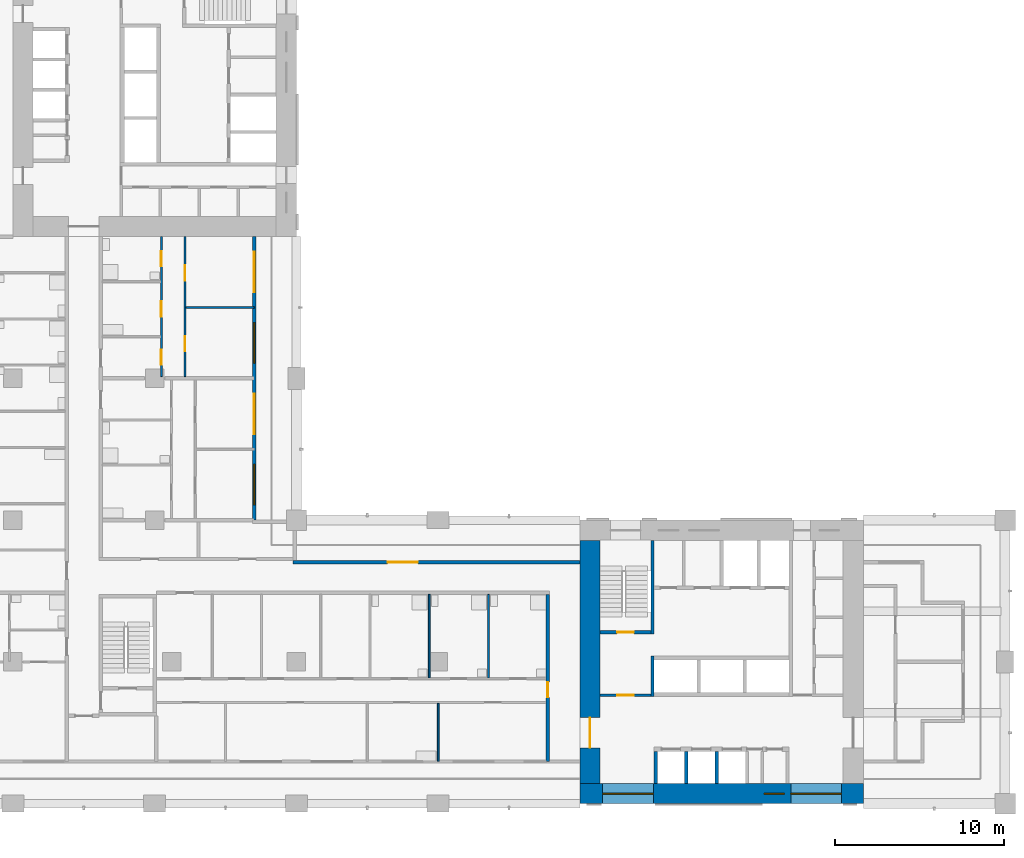
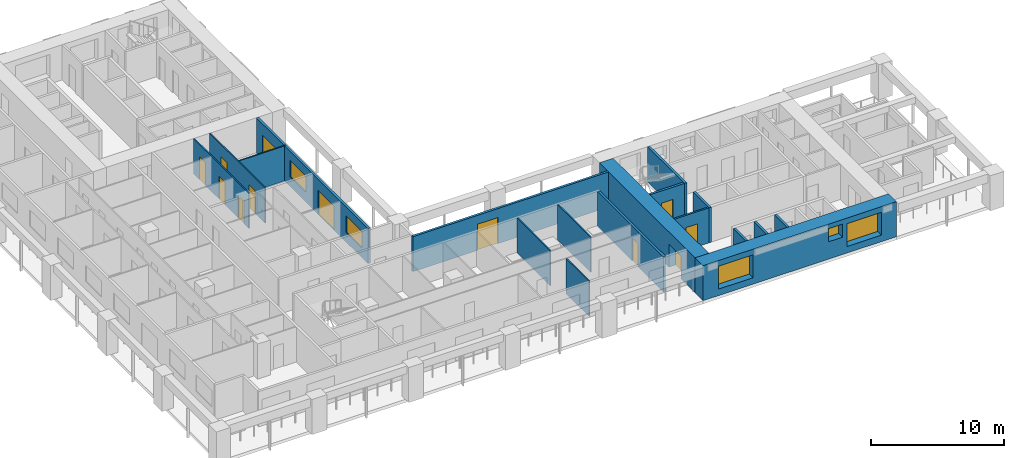
# One storey, part 5 of 17: 18 walls, 12 doors, 5 windows, 17 openings.
"""IFC4 building model written with IfcOpenShell, lengths in metres."""

import ifcopenshell
import ifcopenshell.guid

model = None  # the IFC model being written
_history = None  # IfcOwnerHistory: only IFC2X3 demands one
_inside = {}  # id of a spatial element -> (the spatial element, [elements in it])
_under = {}  # id of a project, library or spatial element -> (it, [spatial elements below it])
_declared = {}  # id of a project -> (the project, [libraries it declares])
_typed = {}  # id of a type object -> (the type object, [elements of that type])
_made_of = {}  # id of a material, layer set ... -> (it, [elements and type objects made of it])


def new_model(schema):
    """Start an empty IFC model of exactly this schema.

    Asked for "IFC4X3", IfcOpenShell would pick the latest addendum, in which some entities
    have other attributes; the version numbers below select the first issue.
    IFC2X3 requires an IfcOwnerHistory on every rooted entity: one is made here for all.
    """
    global model, _history
    if schema == "IFC4X3":
        model = ifcopenshell.file(schema_version=(4, 3, 0, 0))
    else:
        model = ifcopenshell.file(schema=schema)
    _inside.clear()
    _under.clear()
    _declared.clear()
    _typed.clear()
    _made_of.clear()
    _history = None
    if model.schema == "IFC2X3":
        org = make("IfcOrganization", Name="unknown")
        user = make(
            "IfcPersonAndOrganization",
            ThePerson=make("IfcPerson", FamilyName="unknown"),
            TheOrganization=org,
        )
        app = make(
            "IfcApplication",
            ApplicationDeveloper=org,
            Version="unknown",
            ApplicationFullName="unknown",
            ApplicationIdentifier="unknown",
        )
        _history = make(
            "IfcOwnerHistory",
            OwningUser=user,
            OwningApplication=app,
            ChangeAction="ADDED",
            CreationDate=0,
        )
    return model


def make(cls, **values):
    """One entity of the class cls with the attributes given. An attribute that is None is left unset."""
    return model.create_entity(
        cls, **{name: value for name, value in values.items() if value is not None}
    )


def rooted(cls, **values):
    """An entity with a GlobalId (a new one), such as an element, a storey or a relation."""
    return make(cls, GlobalId=ifcopenshell.guid.new(), OwnerHistory=_history, **values)


def si_unit(unit_type, name, prefix=None):
    """IfcSIUnit, for example si_unit("LENGTHUNIT", "METRE", prefix="MILLI")."""
    return make("IfcSIUnit", UnitType=unit_type, Prefix=prefix, Name=name)


def assignment(units):
    """IfcUnitAssignment: the units of a project."""
    return None if units is None else make("IfcUnitAssignment", Units=units)


def point(xyz):
    """IfcCartesianPoint."""
    return None if xyz is None else make("IfcCartesianPoint", Coordinates=xyz)


def direction(xyz):
    """IfcDirection."""
    return None if xyz is None else make("IfcDirection", DirectionRatios=xyz)


def frame(location, z_axis=None, x_axis=None):
    """IfcAxis2Placement3D, a coordinate frame: its origin and axes. An axis left out is left unset."""
    return make(
        "IfcAxis2Placement3D",
        Location=point(location),
        Axis=direction(z_axis),
        RefDirection=direction(x_axis),
    )


def frame_2d(location, x_axis=None):
    """IfcAxis2Placement2D, a coordinate frame in the plane: its origin and x axis."""
    return make(
        "IfcAxis2Placement2D", Location=point(location), RefDirection=direction(x_axis)
    )


def origin():
    """The frame at (0, 0, 0) with its axes left unset."""
    return frame((0.0, 0.0, 0.0))


def place(relative_to, where):
    """IfcLocalPlacement: puts the frame where relative to a parent placement (None: the world)."""
    return make(
        "IfcLocalPlacement", PlacementRelTo=relative_to, RelativePlacement=where
    )


def context(
    kind, dimensions, precision=None, world=None, true_north=None, identifier=None
):
    """IfcGeometricRepresentationContext, for example the 3D "Model" context."""
    return make(
        "IfcGeometricRepresentationContext",
        ContextIdentifier=identifier,
        ContextType=kind,
        CoordinateSpaceDimension=dimensions,
        Precision=precision,
        WorldCoordinateSystem=world,
        TrueNorth=true_north,
    )


def subcontext(parent, identifier, kind, view, scale=None):
    """IfcGeometricRepresentationSubContext, for example "Body" below "Model"."""
    return make(
        "IfcGeometricRepresentationSubContext",
        ContextIdentifier=identifier,
        ContextType=kind,
        ParentContext=parent,
        TargetScale=scale,
        TargetView=view,
    )


def project(units=None, contexts=None):
    """IfcProject with its units and contexts."""
    return rooted(
        "IfcProject",
        Name="project",
        RepresentationContexts=contexts,
        UnitsInContext=assignment(units),
    )


def spatial(cls, under=None, at=None, **own):
    """A site, building, storey or space (cls), placed at a placement, below another one or the project."""
    s = rooted(cls, ObjectPlacement=at, **own)
    if under is not None:
        _under.setdefault(under.id(), (under, []))[1].append(s)
    return s


def profile(cls, at=None, kind="AREA", **sizes):
    """A parametric profile (cls). Its sizes go by their IFC names, for example OverallWidth=200.0."""
    return make(cls, ProfileType=kind, Position=at, **sizes)


def rectangle(**sizes):
    """IfcRectangleProfileDef."""
    return profile("IfcRectangleProfileDef", **sizes)


def extrude(swept, where, along, depth):
    """IfcExtrudedAreaSolid: the profile swept, set in the frame where, extruded along a direction by depth."""
    return make(
        "IfcExtrudedAreaSolid",
        SweptArea=swept,
        Position=where,
        ExtrudedDirection=direction(along),
        Depth=depth,
    )


def shape(context_of_items, identifier, shape_type, items):
    """IfcShapeRepresentation: the items that make up one representation, for example the "Body"."""
    return make(
        "IfcShapeRepresentation",
        ContextOfItems=context_of_items,
        RepresentationIdentifier=identifier,
        RepresentationType=shape_type,
        Items=items,
    )


def material(Name=None, Category=None):
    """IfcMaterial."""
    return make("IfcMaterial", Name=Name, Category=Category)


def layer(
    of_material, thickness, ventilated=None, Name=None, Category=None, Priority=None
):
    """IfcMaterialLayer: one layer of a wall or slab, of a material (None: an air gap)."""
    return make(
        "IfcMaterialLayer",
        Material=of_material,
        LayerThickness=thickness,
        IsVentilated=ventilated,
        Name=Name,
        Category=Category,
        Priority=Priority,
    )


def layer_set(layers, Name=None):
    """IfcMaterialLayerSet."""
    return make("IfcMaterialLayerSet", MaterialLayers=layers, LayerSetName=Name)


def made_of(thing, what):
    """Note that an element or type object is made of a material, layer set ...; save() writes the relation."""
    if what is not None:
        _made_of.setdefault(what.id(), (what, []))[1].append(thing)
    return thing


def type_object(cls, material=None, **own):
    """A type object (cls), such as IfcWallType, which elements share."""
    return made_of(rooted(cls, **own), material)


def element(
    cls,
    number,
    at=None,
    inside=None,
    cuts=None,
    type_object=None,
    material=None,
    context=None,
    identifier="Body",
    shape_type=None,
    held_by="IfcProductDefinitionShape",
    body=None,
    shapes=None,
    **own,
):
    """One element of the class cls, such as IfcWall. Its Tag is "e" and its number.

    at: its placement. inside: the storey or other place that contains it. cuts: it is an
    opening in that element (IfcRelVoidsElement). A single representation is given by context,
    identifier, shape_type and body (its items); several are given by shapes. held_by: the class
    of the entity that holds the representations. save() writes the other relations.
    """
    e = rooted(cls, Tag="e%d" % number, ObjectPlacement=at, **own)
    if body is not None:
        shapes = [shape(context, identifier, shape_type, body)]
    if shapes is not None:
        e.Representation = make(held_by, Representations=shapes)
    if inside is not None:
        _inside.setdefault(inside.id(), (inside, []))[1].append(e)
    if cuts is not None:
        rooted(
            "IfcRelVoidsElement", RelatingBuildingElement=cuts, RelatedOpeningElement=e
        )
    if type_object is not None:
        _typed.setdefault(type_object.id(), (type_object, []))[1].append(e)
    return made_of(e, material)


def fill(opening, filler):
    """IfcRelFillsElement: the door or window that sits in an opening."""
    return rooted(
        "IfcRelFillsElement",
        RelatingOpeningElement=opening,
        RelatedBuildingElement=filler,
    )


def aggregate(whole, parts):
    """IfcRelAggregates: a whole, such as a stair, and the parts it consists of."""
    return rooted("IfcRelAggregates", RelatingObject=whole, RelatedObjects=parts)


def save(model, path):
    """Write the relations noted so far, then the file.

    IfcRelAggregates (storeys below a building ...), IfcRelContainedInSpatialStructure (elements
    in a storey), IfcRelDefinesByType, IfcRelAssociatesMaterial and IfcRelDeclares: one each for
    every whole, place, type object, material and project.
    """
    for whole, parts in _under.values():
        aggregate(whole, parts)
    for where, things in _inside.values():
        rooted(
            "IfcRelContainedInSpatialStructure",
            RelatedElements=things,
            RelatingStructure=where,
        )
    for kind, things in _typed.values():
        rooted("IfcRelDefinesByType", RelatedObjects=things, RelatingType=kind)
    for what, things in _made_of.values():
        rooted("IfcRelAssociatesMaterial", RelatedObjects=things, RelatingMaterial=what)
    for by, libraries in _declared.values():
        rooted("IfcRelDeclares", RelatingContext=by, RelatedDefinitions=libraries)
    model.write(path)


model = new_model("IFC4")

# Units and contexts
model_context = context("Model", 3, precision=1e-05, world=origin(), true_north=direction((0.0, 1.0)))
body_context = subcontext(model_context, "Body", "Model", "MODEL_VIEW")
ifc_project = project(units=[si_unit("LENGTHUNIT", "METRE"), si_unit("AREAUNIT", "SQUARE_METRE"), si_unit("VOLUMEUNIT", "CUBIC_METRE"), si_unit("PLANEANGLEUNIT", "RADIAN"), si_unit("MASSUNIT", "GRAM", prefix="KILO")], contexts=[model_context])

# Site, building, storey
site_placement = place(None, origin())
site = spatial("IfcSite", under=ifc_project, at=site_placement, CompositionType="ELEMENT")
building_placement = place(site_placement, origin())
building = spatial("IfcBuilding", under=site, at=building_placement, Name="Vermilion Gate Residences", CompositionType="ELEMENT")
storey_placement = place(building_placement, frame((0.0, 0.0, 95.199951171875)))
storey = spatial("IfcBuildingStorey", under=building, at=storey_placement, Name="L23", CompositionType="ELEMENT", Elevation=95.199951171875)

# Wall, opening, door
ifc_material_1 = material(Name="Masonry blockwork", Category="masonry")
ifc_layer_1 = layer(ifc_material_1, 0.14990234375)
ifc_layer_set_1 = layer_set([ifc_layer_1], Name="BLOCKWORK PARTITION 150 EI 120")
wall_type_1 = type_object("IfcWallType", Name="BLOCKWORK PARTITION 150 EI 120", PredefinedType="PARTITIONING", material=ifc_layer_set_1)
wall_1_placement = place(storey_placement, frame((43.199951171875, 14.824951171875, 0.0), z_axis=(0.0, 0.0, 1.0), x_axis=(1.0, 0.0, 0.0)))
wall_1 = element("IfcWall", 1, at=wall_1_placement, inside=storey, type_object=wall_type_1, Name="Core room partition A23-VW-S", PredefinedType="PARTITIONING", context=body_context, shape_type="SweptSolid", body=[
    extrude(rectangle(XDim=3.0, YDim=0.14990234375, at=frame_2d((1.5, 0.0))), origin(), (0.0, 0.0, 1.0), 3.219970703125),
])
opening_1_placement = place(wall_1_placement, frame((1.0, 0.0, 0.0)))
opening_1 = element("IfcOpeningElement", 2, at=opening_1_placement, cuts=wall_1, Name="Opening DK23012", PredefinedType="OPENING", context=body_context, shape_type="SweptSolid", body=[
    extrude(rectangle(XDim=1.0, YDim=2.10009765625, at=frame_2d((0.5, 1.050048828125))), frame((0.0, 0.0849609375, 0.0), z_axis=(0.0, -1.0, 0.0), x_axis=(1.0, 0.0, 0.0)), (0.0, 0.0, 1.0), 0.169921875),
])
ifc_material_2 = material(Name="Steel", Category="steel")
door_type_1 = type_object("IfcDoorType", Name="FIRE DOOR FD60 1000 X 2100", OperationType="SINGLE_SWING_LEFT", PredefinedType="DOOR", material=ifc_material_2)
door_1_placement = place(opening_1_placement, frame((1.0, 0.0, 0.0), z_axis=(0.0, 0.0, 1.0), x_axis=(-1.0, 0.0, 0.0)))
door_1 = element("IfcDoor", 3, at=door_1_placement, inside=storey, type_object=door_type_1, Name="Stair vestibule door A23", OperationType="SINGLE_SWING_RIGHT", OverallHeight=2.10009765625, OverallWidth=1.0, PredefinedType="DOOR", context=body_context, shape_type="SweptSolid", body=[
    extrude(rectangle(XDim=1.0, YDim=2.10009765625, at=frame_2d((0.5, 1.050048828125))), frame((0.0, 0.02490234375, 0.0), z_axis=(0.0, -1.0, 0.0), x_axis=(1.0, 0.0, 0.0)), (0.0, 0.0, 1.0), 0.050048828125),
])
fill(opening_1, door_1)

ifc_material_3 = material(Name="Insulated steel stud wall with terracotta rainscreen", Category="masonry")
ifc_layer_2 = layer(ifc_material_3, 0.199951171875)
ifc_layer_set_2 = layer_set([ifc_layer_2], Name="EXTERNAL WALL 200 TERRACOTTA RAINSCREEN")
wall_type_2 = type_object("IfcWallType", Name="EXTERNAL WALL 200 TERRACOTTA RAINSCREEN", PredefinedType="SOLIDWALL", material=ifc_layer_set_2)
wall_2_placement = place(storey_placement, frame((42.0, 22.699951171875, 0.0), z_axis=(0.0, 0.0, 1.0), x_axis=(-1.0, 0.0, 0.0)))
wall_2 = element("IfcWall", 4, at=wall_2_placement, inside=storey, type_object=wall_type_2, Name="External wall", PredefinedType="SOLIDWALL", context=body_context, shape_type="SweptSolid", body=[
    extrude(rectangle(XDim=17.0, YDim=0.199951171875, at=frame_2d((8.5, 0.0))), origin(), (0.0, 0.0, 1.0), 3.219970703125),
])
opening_2_placement = place(wall_2_placement, frame((9.60009765625, 0.0, 0.0)))
opening_2 = element("IfcOpeningElement", 5, at=opening_2_placement, cuts=wall_2, Name="Opening DE23029", PredefinedType="OPENING", context=body_context, shape_type="SweptSolid", body=[
    extrude(rectangle(XDim=1.800048828125, YDim=2.39990234375, at=frame_2d((0.89990234375, 1.199951171875))), frame((0.0, 0.10986328125, 0.0), z_axis=(0.0, -1.0, 0.0), x_axis=(1.0, 0.0, 0.0)), (0.0, 0.0, 1.0), 0.219970703125),
])
ifc_material_4 = material(Name="Aluminium and clear glass", Category="aluminium")
door_type_2 = type_object("IfcDoorType", Name="GLAZED EXTERNAL DOOR 1800 X 2400", OperationType="DOUBLE_DOOR_SINGLE_SWING", PredefinedType="DOOR", material=ifc_material_4)
door_2_placement = place(opening_2_placement, frame((1.800048828125, 0.0, 0.0), z_axis=(0.0, 0.0, 1.0), x_axis=(-1.0, 0.0, 0.0)))
door_2 = element("IfcDoor", 6, at=door_2_placement, inside=storey, type_object=door_type_2, Name="Gallery door", OperationType="DOUBLE_DOOR_SINGLE_SWING", OverallHeight=2.39990234375, OverallWidth=1.800048828125, PredefinedType="DOOR", context=body_context, shape_type="SweptSolid", body=[
    extrude(rectangle(XDim=1.800048828125, YDim=2.39990234375, at=frame_2d((0.89990234375, 1.199951171875))), frame((0.0, 0.02490234375, 0.0), z_axis=(0.0, -1.0, 0.0), x_axis=(1.0, 0.0, 0.0)), (0.0, 0.0, 1.0), 0.050048828125),
])
fill(opening_2, door_2)

# Wall, openings, doors, windows
wall_3_placement = place(storey_placement, frame((22.699951171875, 25.199951171875, 0.0), z_axis=(0.0, 0.0, 1.0), x_axis=(0.0, 1.0, 0.0)))
wall_3 = element("IfcWall", 7, at=wall_3_placement, inside=storey, type_object=wall_type_2, Name="External wall", PredefinedType="SOLIDWALL", context=body_context, shape_type="SweptSolid", body=[
    extrude(rectangle(XDim=16.800048828125, YDim=0.199951171875, at=frame_2d((8.39990234375, 0.0))), origin(), (0.0, 0.0, 1.0), 3.219970703125),
])
opening_3_placement = place(wall_3_placement, frame((0.89990234375, 0.0, 0.89990234375)))
opening_3 = element("IfcOpeningElement", 8, at=opening_3_placement, cuts=wall_3, Name="Opening WE23024", PredefinedType="OPENING", context=body_context, shape_type="SweptSolid", body=[
    extrude(rectangle(XDim=2.39990234375, YDim=1.5, at=frame_2d((1.199951171875, 0.75))), frame((0.0, 0.10986328125, 0.0), z_axis=(0.0, -1.0, 0.0), x_axis=(1.0, 0.0, 0.0)), (0.0, 0.0, 1.0), 0.219970703125),
])
opening_4_placement = place(wall_3_placement, frame((5.10009765625, 0.0, 0.0)))
opening_4 = element("IfcOpeningElement", 9, at=opening_4_placement, cuts=wall_3, Name="Opening DE23025", PredefinedType="OPENING", context=body_context, shape_type="SweptSolid", body=[
    extrude(rectangle(XDim=2.39990234375, YDim=2.199951171875, at=frame_2d((1.199951171875, 1.10009765625))), frame((0.0, 0.10986328125, 0.0), z_axis=(0.0, -1.0, 0.0), x_axis=(1.0, 0.0, 0.0)), (0.0, 0.0, 1.0), 0.219970703125),
])
opening_5_placement = place(wall_3_placement, frame((9.300048828125, 0.0, 0.89990234375)))
opening_5 = element("IfcOpeningElement", 10, at=opening_5_placement, cuts=wall_3, Name="Opening WE23026", PredefinedType="OPENING", context=body_context, shape_type="SweptSolid", body=[
    extrude(rectangle(XDim=2.39990234375, YDim=1.5, at=frame_2d((1.199951171875, 0.75))), frame((0.0, 0.10986328125, 0.0), z_axis=(0.0, -1.0, 0.0), x_axis=(1.0, 0.0, 0.0)), (0.0, 0.0, 1.0), 0.219970703125),
])
opening_6_placement = place(wall_3_placement, frame((13.5, 0.0, 0.0)))
opening_6 = element("IfcOpeningElement", 11, at=opening_6_placement, cuts=wall_3, Name="Opening DE23027", PredefinedType="OPENING", context=body_context, shape_type="SweptSolid", body=[
    extrude(rectangle(XDim=2.39990234375, YDim=2.199951171875, at=frame_2d((1.199951171875, 1.10009765625))), frame((0.0, 0.10986328125, 0.0), z_axis=(0.0, -1.0, 0.0), x_axis=(1.0, 0.0, 0.0)), (0.0, 0.0, 1.0), 0.219970703125),
])
ifc_material_5 = material(Name="Aluminium and clear glass", Category="aluminium")
door_type_3 = type_object("IfcDoorType", Name="SLIDING GLAZED DOOR 2400 X 2200", OperationType="DOUBLE_DOOR_SLIDING", PredefinedType="DOOR", material=ifc_material_5)
door_3_placement = place(opening_4_placement, origin())
door_3 = element("IfcDoor", 12, at=door_3_placement, inside=storey, type_object=door_type_3, Name="Loggia sliding door", OperationType="DOUBLE_DOOR_SLIDING", OverallHeight=2.199951171875, OverallWidth=2.39990234375, PredefinedType="DOOR", context=body_context, shape_type="SweptSolid", body=[
    extrude(rectangle(XDim=2.39990234375, YDim=2.199951171875, at=frame_2d((1.199951171875, 1.10009765625))), frame((0.0, 0.02490234375, 0.0), z_axis=(0.0, -1.0, 0.0), x_axis=(1.0, 0.0, 0.0)), (0.0, 0.0, 1.0), 0.050048828125),
])
fill(opening_4, door_3)
door_4_placement = place(opening_6_placement, origin())
door_4 = element("IfcDoor", 13, at=door_4_placement, inside=storey, type_object=door_type_3, Name="Loggia sliding door", OperationType="DOUBLE_DOOR_SLIDING", OverallHeight=2.199951171875, OverallWidth=2.39990234375, PredefinedType="DOOR", context=body_context, shape_type="SweptSolid", body=[
    extrude(rectangle(XDim=2.39990234375, YDim=2.199951171875, at=frame_2d((1.199951171875, 1.10009765625))), frame((0.0, 0.02490234375, 0.0), z_axis=(0.0, -1.0, 0.0), x_axis=(1.0, 0.0, 0.0)), (0.0, 0.0, 1.0), 0.050048828125),
])
fill(opening_6, door_4)
ifc_material_6 = material(Name="Aluminium and clear glass", Category="aluminium")
window_type_1 = type_object("IfcWindowType", Name="WINDOW 2400 X 1500", PartitioningType="SINGLE_PANEL", PredefinedType="WINDOW", material=ifc_material_6)
window_1_placement = place(opening_3_placement, origin())
window_1 = element("IfcWindow", 14, at=window_1_placement, inside=storey, type_object=window_type_1, Name="Window", OverallHeight=1.5, OverallWidth=2.39990234375, PartitioningType="SINGLE_PANEL", PredefinedType="WINDOW", context=body_context, shape_type="SweptSolid", body=[
    extrude(rectangle(XDim=2.39990234375, YDim=1.5, at=frame_2d((1.199951171875, 0.75))), frame((0.0, 0.030029296875, 0.0), z_axis=(0.0, -1.0, 0.0), x_axis=(1.0, 0.0, 0.0)), (0.0, 0.0, 1.0), 0.06005859375),
])
fill(opening_3, window_1)
window_2_placement = place(opening_5_placement, origin())
window_2 = element("IfcWindow", 15, at=window_2_placement, inside=storey, type_object=window_type_1, Name="Window", OverallHeight=1.5, OverallWidth=2.39990234375, PartitioningType="SINGLE_PANEL", PredefinedType="WINDOW", context=body_context, shape_type="SweptSolid", body=[
    extrude(rectangle(XDim=2.39990234375, YDim=1.5, at=frame_2d((1.199951171875, 0.75))), frame((0.0, 0.030029296875, 0.0), z_axis=(0.0, -1.0, 0.0), x_axis=(1.0, 0.0, 0.0)), (0.0, 0.0, 1.0), 0.06005859375),
])
fill(opening_5, window_2)

# Wall
ifc_material_7 = material(Name="Plasterboard on steel studs", Category="steel")
ifc_layer_3 = layer(ifc_material_7, 0.10009765625)
ifc_layer_set_3 = layer_set([ifc_layer_3], Name="PARTITION 100")
wall_type_3 = type_object("IfcWallType", Name="PARTITION 100", PredefinedType="PARTITIONING", material=ifc_layer_set_3)
wall_4_placement = place(storey_placement, frame((18.64990234375, 37.800048828125, 0.0), z_axis=(0.0, 0.0, 1.0), x_axis=(1.0, 0.0, 0.0)))
element("IfcWall", 16, at=wall_4_placement, inside=storey, type_object=wall_type_3, Name="Partition", PredefinedType="PARTITIONING", context=body_context, shape_type="SweptSolid", body=[
    extrude(rectangle(XDim=4.050048828125, YDim=0.10009765625, at=frame_2d((2.02490234375, 0.0))), origin(), (0.0, 0.0, 1.0), 3.219970703125),
])

# Wall, openings, doors
wall_5_placement = place(storey_placement, frame((17.199951171875, 33.699951171875, 0.0), z_axis=(0.0, 0.0, 1.0), x_axis=(0.0, 1.0, 0.0)))
wall_5 = element("IfcWall", 17, at=wall_5_placement, inside=storey, type_object=wall_type_3, Name="Partition", PredefinedType="PARTITIONING", context=body_context, shape_type="SweptSolid", body=[
    extrude(rectangle(XDim=8.300048828125, YDim=0.10009765625, at=frame_2d((4.14990234375, 0.0))), origin(), (0.0, 0.0, 1.0), 3.219970703125),
])
opening_7_placement = place(wall_5_placement, frame((0.699951171875, 0.0, 0.0)))
opening_7 = element("IfcOpeningElement", 18, at=opening_7_placement, cuts=wall_5, Name="Opening DA22040", PredefinedType="OPENING", context=body_context, shape_type="SweptSolid", body=[
    extrude(rectangle(XDim=0.89990234375, YDim=2.10009765625, at=frame_2d((0.449951171875, 1.050048828125))), frame((0.0, 0.06005859375, 0.0), z_axis=(0.0, -1.0, 0.0), x_axis=(1.0, 0.0, 0.0)), (0.0, 0.0, 1.0), 0.1201171875),
])
opening_8_placement = place(wall_5_placement, frame((3.56689453125, 0.0, 0.0)))
opening_8 = element("IfcOpeningElement", 19, at=opening_8_placement, cuts=wall_5, Name="Opening DA22041", PredefinedType="OPENING", context=body_context, shape_type="SweptSolid", body=[
    extrude(rectangle(XDim=0.89990234375, YDim=2.10009765625, at=frame_2d((0.449951171875, 1.050048828125))), frame((0.0, 0.06005859375, 0.0), z_axis=(0.0, -1.0, 0.0), x_axis=(1.0, 0.0, 0.0)), (0.0, 0.0, 1.0), 0.1201171875),
])
opening_9_placement = place(wall_5_placement, frame((6.532958984375, 0.0, 0.0)))
opening_9 = element("IfcOpeningElement", 20, at=opening_9_placement, cuts=wall_5, Name="Opening DA22042", PredefinedType="OPENING", context=body_context, shape_type="SweptSolid", body=[
    extrude(rectangle(XDim=0.89990234375, YDim=2.10009765625, at=frame_2d((0.449951171875, 1.050048828125))), frame((0.0, 0.06005859375, 0.0), z_axis=(0.0, -1.0, 0.0), x_axis=(1.0, 0.0, 0.0)), (0.0, 0.0, 1.0), 0.1201171875),
])
ifc_material_8 = material(Name="Timber", Category="wood")
door_type_4 = type_object("IfcDoorType", Name="INTERIOR DOOR 900 X 2100", OperationType="SINGLE_SWING_LEFT", PredefinedType="DOOR", material=ifc_material_8)
door_5_placement = place(opening_7_placement, origin())
door_5 = element("IfcDoor", 21, at=door_5_placement, inside=storey, type_object=door_type_4, Name="Interior door", OperationType="SINGLE_SWING_LEFT", OverallHeight=2.10009765625, OverallWidth=0.89990234375, PredefinedType="DOOR", context=body_context, shape_type="SweptSolid", body=[
    extrude(rectangle(XDim=0.89990234375, YDim=2.10009765625, at=frame_2d((0.449951171875, 1.050048828125))), frame((0.0, 0.02490234375, 0.0), z_axis=(0.0, -1.0, 0.0), x_axis=(1.0, 0.0, 0.0)), (0.0, 0.0, 1.0), 0.050048828125),
])
fill(opening_7, door_5)
door_6_placement = place(opening_8_placement, origin())
door_6 = element("IfcDoor", 22, at=door_6_placement, inside=storey, type_object=door_type_4, Name="Interior door", OperationType="SINGLE_SWING_RIGHT", OverallHeight=2.10009765625, OverallWidth=0.89990234375, PredefinedType="DOOR", context=body_context, shape_type="SweptSolid", body=[
    extrude(rectangle(XDim=0.89990234375, YDim=2.10009765625, at=frame_2d((0.449951171875, 1.050048828125))), frame((0.0, 0.02490234375, 0.0), z_axis=(0.0, -1.0, 0.0), x_axis=(1.0, 0.0, 0.0)), (0.0, 0.0, 1.0), 0.050048828125),
])
fill(opening_8, door_6)
door_7_placement = place(opening_9_placement, origin())
door_7 = element("IfcDoor", 23, at=door_7_placement, inside=storey, type_object=door_type_4, Name="Interior door", OperationType="SINGLE_SWING_LEFT", OverallHeight=2.10009765625, OverallWidth=0.89990234375, PredefinedType="DOOR", context=body_context, shape_type="SweptSolid", body=[
    extrude(rectangle(XDim=0.89990234375, YDim=2.10009765625, at=frame_2d((0.449951171875, 1.050048828125))), frame((0.0, 0.02490234375, 0.0), z_axis=(0.0, -1.0, 0.0), x_axis=(1.0, 0.0, 0.0)), (0.0, 0.0, 1.0), 0.050048828125),
])
fill(opening_9, door_7)

wall_6_placement = place(storey_placement, frame((18.60009765625, 33.699951171875, 0.0), z_axis=(0.0, 0.0, 1.0), x_axis=(0.0, 1.0, 0.0)))
wall_6 = element("IfcWall", 24, at=wall_6_placement, inside=storey, type_object=wall_type_3, Name="Partition", PredefinedType="PARTITIONING", context=body_context, shape_type="SweptSolid", body=[
    extrude(rectangle(XDim=8.300048828125, YDim=0.10009765625, at=frame_2d((4.14990234375, 0.0))), origin(), (0.0, 0.0, 1.0), 3.219970703125),
])
opening_10_placement = place(wall_6_placement, frame((1.5, 0.0, 0.0)))
opening_10 = element("IfcOpeningElement", 25, at=opening_10_placement, cuts=wall_6, Name="Opening DA22046", PredefinedType="OPENING", context=body_context, shape_type="SweptSolid", body=[
    extrude(rectangle(XDim=0.89990234375, YDim=2.10009765625, at=frame_2d((0.449951171875, 1.050048828125))), frame((0.0, 0.06005859375, 0.0), z_axis=(0.0, -1.0, 0.0), x_axis=(1.0, 0.0, 0.0)), (0.0, 0.0, 1.0), 0.1201171875),
])
opening_11_placement = place(wall_6_placement, frame((5.699951171875, 0.0, 0.0)))
opening_11 = element("IfcOpeningElement", 26, at=opening_11_placement, cuts=wall_6, Name="Opening DA22047", PredefinedType="OPENING", context=body_context, shape_type="SweptSolid", body=[
    extrude(rectangle(XDim=0.89990234375, YDim=2.10009765625, at=frame_2d((0.449951171875, 1.050048828125))), frame((0.0, 0.06005859375, 0.0), z_axis=(0.0, -1.0, 0.0), x_axis=(1.0, 0.0, 0.0)), (0.0, 0.0, 1.0), 0.1201171875),
])
door_8_placement = place(opening_10_placement, frame((0.89990234375, 0.0, 0.0), z_axis=(0.0, 0.0, 1.0), x_axis=(-1.0, 0.0, 0.0)))
door_8 = element("IfcDoor", 27, at=door_8_placement, inside=storey, type_object=door_type_4, Name="Interior door", OperationType="SINGLE_SWING_RIGHT", OverallHeight=2.10009765625, OverallWidth=0.89990234375, PredefinedType="DOOR", context=body_context, shape_type="SweptSolid", body=[
    extrude(rectangle(XDim=0.89990234375, YDim=2.10009765625, at=frame_2d((0.449951171875, 1.050048828125))), frame((0.0, 0.02490234375, 0.0), z_axis=(0.0, -1.0, 0.0), x_axis=(1.0, 0.0, 0.0)), (0.0, 0.0, 1.0), 0.050048828125),
])
fill(opening_10, door_8)
door_9_placement = place(opening_11_placement, frame((0.89990234375, 0.0, 0.0), z_axis=(0.0, 0.0, 1.0), x_axis=(-1.0, 0.0, 0.0)))
door_9 = element("IfcDoor", 28, at=door_9_placement, inside=storey, type_object=door_type_4, Name="Interior door", OperationType="SINGLE_SWING_RIGHT", OverallHeight=2.10009765625, OverallWidth=0.89990234375, PredefinedType="DOOR", context=body_context, shape_type="SweptSolid", body=[
    extrude(rectangle(XDim=0.89990234375, YDim=2.10009765625, at=frame_2d((0.449951171875, 1.050048828125))), frame((0.0, 0.02490234375, 0.0), z_axis=(0.0, -1.0, 0.0), x_axis=(1.0, 0.0, 0.0)), (0.0, 0.0, 1.0), 0.050048828125),
])
fill(opening_11, door_9)

# Walls
wall_7_placement = place(storey_placement, frame((33.072021484375, 15.85009765625, 0.0), z_axis=(0.0, 0.0, 1.0), x_axis=(0.0, 1.0, 0.0)))
element("IfcWall", 29, at=wall_7_placement, inside=storey, type_object=wall_type_3, Name="Partition", PredefinedType="PARTITIONING", context=body_context, shape_type="SweptSolid", body=[
    extrude(rectangle(XDim=4.949951171875, YDim=0.10009765625, at=frame_2d((2.47509765625, 0.0))), origin(), (0.0, 0.0, 1.0), 3.219970703125),
])
wall_8_placement = place(storey_placement, frame((33.60009765625, 10.89990234375, 0.0), z_axis=(0.0, 0.0, 1.0), x_axis=(0.0, 1.0, 0.0)))
element("IfcWall", 30, at=wall_8_placement, inside=storey, type_object=wall_type_3, Name="Partition", PredefinedType="PARTITIONING", context=body_context, shape_type="SweptSolid", body=[
    extrude(rectangle(XDim=3.4501953125, YDim=0.10009765625, at=frame_2d((1.72509765625, 0.0))), origin(), (0.0, 0.0, 1.0), 3.219970703125),
])
wall_9_placement = place(storey_placement, frame((36.5859375, 15.85009765625, 0.0), z_axis=(0.0, 0.0, 1.0), x_axis=(0.0, 1.0, 0.0)))
element("IfcWall", 31, at=wall_9_placement, inside=storey, type_object=wall_type_3, Name="Partition", PredefinedType="PARTITIONING", context=body_context, shape_type="SweptSolid", body=[
    extrude(rectangle(XDim=4.949951171875, YDim=0.10009765625, at=frame_2d((2.47509765625, 0.0))), origin(), (0.0, 0.0, 1.0), 3.219970703125),
])

# Wall, opening, door
ifc_material_9 = material(Name="Fire-rated plasterboard on steel studs", Category="steel")
ifc_layer_4 = layer(ifc_material_9, 0.199951171875)
ifc_layer_set_4 = layer_set([ifc_layer_4], Name="PARTY WALL 200 EI 120")
wall_type_4 = type_object("IfcWallType", Name="PARTY WALL 200 EI 120", PredefinedType="PARTITIONING", material=ifc_layer_set_4)
wall_10_placement = place(storey_placement, frame((40.10009765625, 10.89990234375, 0.0), z_axis=(0.0, 0.0, 1.0), x_axis=(0.0, 1.0, 0.0)))
wall_10 = element("IfcWall", 32, at=wall_10_placement, inside=storey, type_object=wall_type_4, Name="Party and corridor wall", PredefinedType="PARTITIONING", context=body_context, shape_type="SweptSolid", body=[
    extrude(rectangle(XDim=9.900146484375, YDim=0.199951171875, at=frame_2d((4.9501953125, 0.0))), origin(), (0.0, 0.0, 1.0), 3.219970703125),
])
opening_12_placement = place(wall_10_placement, frame((3.800048828125, 0.0, 0.0)))
opening_12 = element("IfcOpeningElement", 33, at=opening_12_placement, cuts=wall_10, Name="Opening DA22050", PredefinedType="OPENING", context=body_context, shape_type="SweptSolid", body=[
    extrude(rectangle(XDim=0.89990234375, YDim=2.10009765625, at=frame_2d((0.449951171875, 1.050048828125))), frame((0.0, 0.10986328125, 0.0), z_axis=(0.0, -1.0, 0.0), x_axis=(1.0, 0.0, 0.0)), (0.0, 0.0, 1.0), 0.219970703125),
])
door_10_placement = place(opening_12_placement, origin())
door_10 = element("IfcDoor", 34, at=door_10_placement, inside=storey, type_object=door_type_4, Name="Interior door", OperationType="SINGLE_SWING_RIGHT", OverallHeight=2.10009765625, OverallWidth=0.89990234375, PredefinedType="DOOR", context=body_context, shape_type="SweptSolid", body=[
    extrude(rectangle(XDim=0.89990234375, YDim=2.10009765625, at=frame_2d((0.449951171875, 1.050048828125))), frame((0.0, 0.02490234375, 0.0), z_axis=(0.0, -1.0, 0.0), x_axis=(1.0, 0.0, 0.0)), (0.0, 0.0, 1.0), 0.050048828125),
])
fill(opening_12, door_10)

# Walls
ifc_material_10 = material(Name="Concrete C60", Category="concrete")
ifc_layer_5 = layer(ifc_material_10, 0.199951171875)
ifc_layer_set_5 = layer_set([ifc_layer_5], Name="RC CORE INTERNAL WALL 200 C60")
wall_type_5 = type_object("IfcWallType", Name="RC CORE INTERNAL WALL 200 C60", PredefinedType="SHEAR", material=ifc_layer_set_5)
for number, where, z_axis, x_axis, name in (
    (35, (46.5, 9.60009765625, 0.0), (0.0, 0.0, 1.0), (0.0, 1.0, 0.0), "Core internal wall A23-LR-D0"),
    (36, (48.300048828125, 9.60009765625, 0.0), (0.0, 0.0, 1.0), (0.0, 1.0, 0.0), "Core internal wall A23-LR-D1"),
    (37, (50.10009765625, 9.60009765625, 0.0), (0.0, 0.0, 1.0), (0.0, 1.0, 0.0), "Core internal wall A23-LR-D2"),
):
    element("IfcWall", number, at=place(storey_placement, frame(where, z_axis=z_axis, x_axis=x_axis)), inside=storey, type_object=wall_type_5, Name=name, PredefinedType="SHEAR", context=body_context, shape_type="SweptSolid", body=[
        extrude(rectangle(XDim=1.89990234375, YDim=0.199951171875, at=frame_2d((0.949951171875, 0.0))), origin(), (0.0, 0.0, 1.0), 3.219970703125),
    ])
wall_11_placement = place(storey_placement, frame((46.300048828125, 14.75, 0.0), z_axis=(0.0, 0.0, 1.0), x_axis=(0.0, 1.0, 0.0)))
element("IfcWall", 38, at=wall_11_placement, inside=storey, type_object=wall_type_5, Name="Core internal wall A23-WDIV1", PredefinedType="SHEAR", context=body_context, shape_type="SweptSolid", body=[
    extrude(rectangle(XDim=2.39990234375, YDim=0.199951171875, at=frame_2d((1.199951171875, 0.0))), origin(), (0.0, 0.0, 1.0), 3.219970703125),
])
wall_12_placement = place(storey_placement, frame((46.300048828125, 18.449951171875, 0.0), z_axis=(0.0, 0.0, 1.0), x_axis=(0.0, 1.0, 0.0)))
element("IfcWall", 39, at=wall_12_placement, inside=storey, type_object=wall_type_5, Name="Core internal wall A23-WDIV2", PredefinedType="SHEAR", context=body_context, shape_type="SweptSolid", body=[
    extrude(rectangle(XDim=5.550048828125, YDim=0.199951171875, at=frame_2d((2.77490234375, 0.0))), origin(), (0.0, 0.0, 1.0), 3.219970703125),
])

# Wall, opening, door
wall_13_placement = place(storey_placement, frame((43.199951171875, 18.550048828125, 0.0), z_axis=(0.0, 0.0, 1.0), x_axis=(1.0, 0.0, 0.0)))
wall_13 = element("IfcWall", 40, at=wall_13_placement, inside=storey, type_object=wall_type_5, Name="Core internal wall A23-STW-S", PredefinedType="SHEAR", context=body_context, shape_type="SweptSolid", body=[
    extrude(rectangle(XDim=3.0, YDim=0.199951171875, at=frame_2d((1.5, 0.0))), origin(), (0.0, 0.0, 1.0), 3.219970703125),
])
opening_13_placement = place(wall_13_placement, frame((1.0, 0.0, 0.0)))
opening_13 = element("IfcOpeningElement", 41, at=opening_13_placement, cuts=wall_13, Name="Opening DK23013", PredefinedType="OPENING", context=body_context, shape_type="SweptSolid", body=[
    extrude(rectangle(XDim=1.0, YDim=2.10009765625, at=frame_2d((0.5, 1.050048828125))), frame((0.0, 0.10986328125, 0.0), z_axis=(0.0, -1.0, 0.0), x_axis=(1.0, 0.0, 0.0)), (0.0, 0.0, 1.0), 0.219970703125),
])
door_11_placement = place(opening_13_placement, origin())
door_11 = element("IfcDoor", 42, at=door_11_placement, inside=storey, type_object=door_type_1, Name="Stair door A23", OperationType="SINGLE_SWING_LEFT", OverallHeight=2.10009765625, OverallWidth=1.0, PredefinedType="DOOR", context=body_context, shape_type="SweptSolid", body=[
    extrude(rectangle(XDim=1.0, YDim=2.10009765625, at=frame_2d((0.5, 1.050048828125))), frame((0.0, 0.02490234375, 0.0), z_axis=(0.0, -1.0, 0.0), x_axis=(1.0, 0.0, 0.0)), (0.0, 0.0, 1.0), 0.050048828125),
])
fill(opening_13, door_11)

ifc_material_11 = material(Name="Concrete C70", Category="concrete")
ifc_layer_6 = layer(ifc_material_11, 1.199951171875)
ifc_layer_set_6 = layer_set([ifc_layer_6], Name="RC CORE WALL 1200 C70")
wall_type_6 = type_object("IfcWallType", Name="RC CORE WALL 1200 C70", PredefinedType="SHEAR", material=ifc_layer_set_6)
wall_14_placement = place(storey_placement, frame((42.60009765625, 9.60009765625, 0.0), z_axis=(0.0, 0.0, 1.0), x_axis=(0.0, 1.0, 0.0)))
wall_14 = element("IfcWall", 43, at=wall_14_placement, inside=storey, type_object=wall_type_6, Name="Core wall A23-OUT-FR", PredefinedType="SHEAR", context=body_context, shape_type="SweptSolid", body=[
    extrude(rectangle(XDim=14.39990234375, YDim=1.199951171875, at=frame_2d((7.199951171875, 0.0))), origin(), (0.0, 0.0, 1.0), 3.219970703125),
])
opening_14_placement = place(wall_14_placement, frame((2.10009765625, 0.0, 0.0)))
opening_14 = element("IfcOpeningElement", 44, at=opening_14_placement, cuts=wall_14, Name="Opening DK23001", PredefinedType="OPENING", context=body_context, shape_type="SweptSolid", body=[
    extrude(rectangle(XDim=1.800048828125, YDim=2.10009765625, at=frame_2d((0.89990234375, 1.050048828125))), frame((0.0, 0.60986328125, 0.0), z_axis=(0.0, -1.0, 0.0), x_axis=(1.0, 0.0, 0.0)), (0.0, 0.0, 1.0), 1.219970703125),
])
ifc_material_12 = material(Name="Steel", Category="steel")
door_type_5 = type_object("IfcDoorType", Name="CORE LOBBY DOOR FD60 1800 X 2100", OperationType="DOUBLE_DOOR_SINGLE_SWING", PredefinedType="DOOR", material=ifc_material_12)
door_12_placement = place(opening_14_placement, frame((1.800048828125, 0.0, 0.0), z_axis=(0.0, 0.0, 1.0), x_axis=(-1.0, 0.0, 0.0)))
door_12 = element("IfcDoor", 45, at=door_12_placement, inside=storey, type_object=door_type_5, Name="Core lobby door A23", OperationType="DOUBLE_DOOR_SINGLE_SWING", OverallHeight=2.10009765625, OverallWidth=1.800048828125, PredefinedType="DOOR", context=body_context, shape_type="SweptSolid", body=[
    extrude(rectangle(XDim=1.800048828125, YDim=2.10009765625, at=frame_2d((0.89990234375, 1.050048828125))), frame((0.0, 0.02490234375, 0.0), z_axis=(0.0, -1.0, 0.0), x_axis=(1.0, 0.0, 0.0)), (0.0, 0.0, 1.0), 0.050048828125),
])
fill(opening_14, door_12)

# Wall, openings, windows
ifc_material_13 = material(Name="Concrete C70 red-oxide pigmented", Category="concrete")
ifc_layer_7 = layer(ifc_material_13, 1.199951171875)
ifc_layer_set_7 = layer_set([ifc_layer_7], Name="RC CORE WALL 1200 C70 RED OXIDE")
wall_type_7 = type_object("IfcWallType", Name="RC CORE WALL 1200 C70 RED OXIDE", PredefinedType="SHEAR", material=ifc_layer_set_7)
wall_15_placement = place(storey_placement, frame((42.0, 9.0, 0.0), z_axis=(0.0, 0.0, 1.0), x_axis=(1.0, 0.0, 0.0)))
wall_15 = element("IfcWall", 46, at=wall_15_placement, inside=storey, type_object=wall_type_7, Name="Core wall A23-OUT-B0", PredefinedType="SHEAR", context=body_context, shape_type="SweptSolid", body=[
    extrude(rectangle(XDim=16.800048828125, YDim=1.199951171875, at=frame_2d((8.39990234375, 0.0))), origin(), (0.0, 0.0, 1.0), 3.219970703125),
])
opening_15_placement = place(wall_15_placement, frame((1.35009765625, 0.0, 0.60009765625)))
opening_15 = element("IfcOpeningElement", 47, at=opening_15_placement, cuts=wall_15, Name="Opening WKA2301", PredefinedType="OPENING", context=body_context, shape_type="SweptSolid", body=[
    extrude(rectangle(XDim=3.0, YDim=2.10009765625, at=frame_2d((1.5, 1.050048828125))), frame((0.0, 0.60986328125, 0.0), z_axis=(0.0, -1.0, 0.0), x_axis=(1.0, 0.0, 0.0)), (0.0, 0.0, 1.0), 1.219970703125),
])
opening_16_placement = place(wall_15_placement, frame((10.91748046875, 0.0, 1.60009765625)))
opening_16 = element("IfcOpeningElement", 48, at=opening_16_placement, cuts=wall_15, Name="Opening WKA2302", PredefinedType="OPENING", context=body_context, shape_type="SweptSolid", body=[
    extrude(rectangle(XDim=1.199951171875, YDim=1.199951171875, at=frame_2d((0.60009765625, 0.60009765625))), frame((0.0, 0.60986328125, 0.0), z_axis=(0.0, -1.0, 0.0), x_axis=(1.0, 0.0, 0.0)), (0.0, 0.0, 1.0), 1.219970703125),
])
opening_17_placement = place(wall_15_placement, frame((12.5, 0.0, 0.60009765625)))
opening_17 = element("IfcOpeningElement", 49, at=opening_17_placement, cuts=wall_15, Name="Opening WKA2303", PredefinedType="OPENING", context=body_context, shape_type="SweptSolid", body=[
    extrude(rectangle(XDim=3.0, YDim=2.10009765625, at=frame_2d((1.5, 1.050048828125))), frame((0.0, 0.60986328125, 0.0), z_axis=(0.0, -1.0, 0.0), x_axis=(1.0, 0.0, 0.0)), (0.0, 0.0, 1.0), 1.219970703125),
])
ifc_material_14 = material(Name="Aluminium and clear glass", Category="aluminium")
window_type_2 = type_object("IfcWindowType", Name="CORE LOBBY WINDOW 3000 X 2100", PartitioningType="SINGLE_PANEL", PredefinedType="WINDOW", material=ifc_material_14)
window_3_placement = place(opening_15_placement, origin())
window_3 = element("IfcWindow", 50, at=window_3_placement, inside=storey, type_object=window_type_2, Name="Core lobby window", OverallHeight=2.10009765625, OverallWidth=3.0, PartitioningType="SINGLE_PANEL", PredefinedType="WINDOW", context=body_context, shape_type="SweptSolid", body=[
    extrude(rectangle(XDim=3.0, YDim=2.10009765625, at=frame_2d((1.5, 1.050048828125))), frame((0.0, 0.030029296875, 0.0), z_axis=(0.0, -1.0, 0.0), x_axis=(1.0, 0.0, 0.0)), (0.0, 0.0, 1.0), 0.06005859375),
])
fill(opening_15, window_3)
window_4_placement = place(opening_17_placement, origin())
window_4 = element("IfcWindow", 51, at=window_4_placement, inside=storey, type_object=window_type_2, Name="Core lobby window", OverallHeight=2.10009765625, OverallWidth=3.0, PartitioningType="SINGLE_PANEL", PredefinedType="WINDOW", context=body_context, shape_type="SweptSolid", body=[
    extrude(rectangle(XDim=3.0, YDim=2.10009765625, at=frame_2d((1.5, 1.050048828125))), frame((0.0, 0.030029296875, 0.0), z_axis=(0.0, -1.0, 0.0), x_axis=(1.0, 0.0, 0.0)), (0.0, 0.0, 1.0), 0.06005859375),
])
fill(opening_17, window_4)
ifc_material_15 = material(Name="Aluminium frame with louvre blades", Category="aluminium")
window_type_3 = type_object("IfcWindowType", Name="CORE LOUVRE 1200 X 1200", PartitioningType="SINGLE_PANEL", PredefinedType="WINDOW", material=ifc_material_15)
window_5_placement = place(opening_16_placement, origin())
window_5 = element("IfcWindow", 52, at=window_5_placement, inside=storey, type_object=window_type_3, Name="Core louvre", OverallHeight=1.199951171875, OverallWidth=1.199951171875, PartitioningType="SINGLE_PANEL", PredefinedType="WINDOW", context=body_context, shape_type="SweptSolid", body=[
    extrude(rectangle(XDim=1.199951171875, YDim=1.199951171875, at=frame_2d((0.60009765625, 0.60009765625))), frame((0.0, 0.030029296875, 0.0), z_axis=(0.0, -1.0, 0.0), x_axis=(1.0, 0.0, 0.0)), (0.0, 0.0, 1.0), 0.06005859375),
])
fill(opening_16, window_5)

save(model, "model.ifc")
